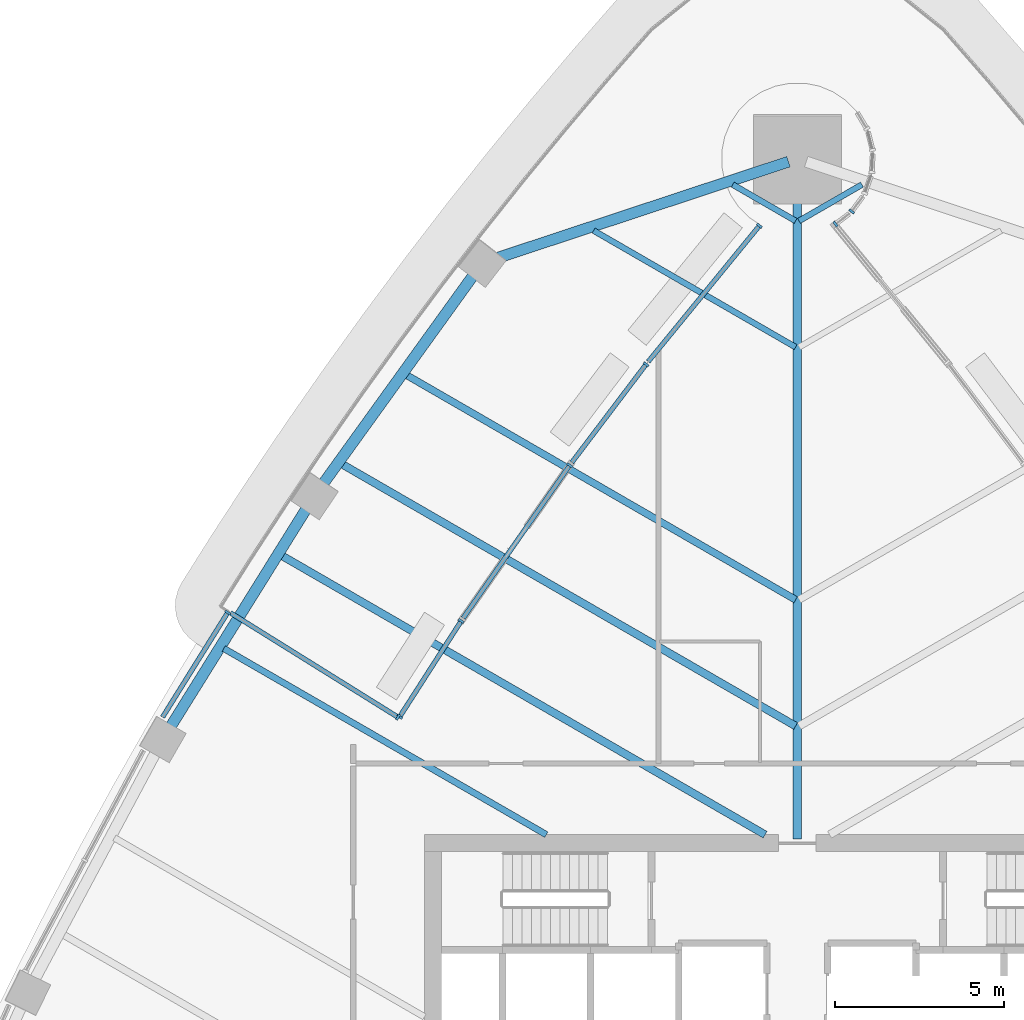
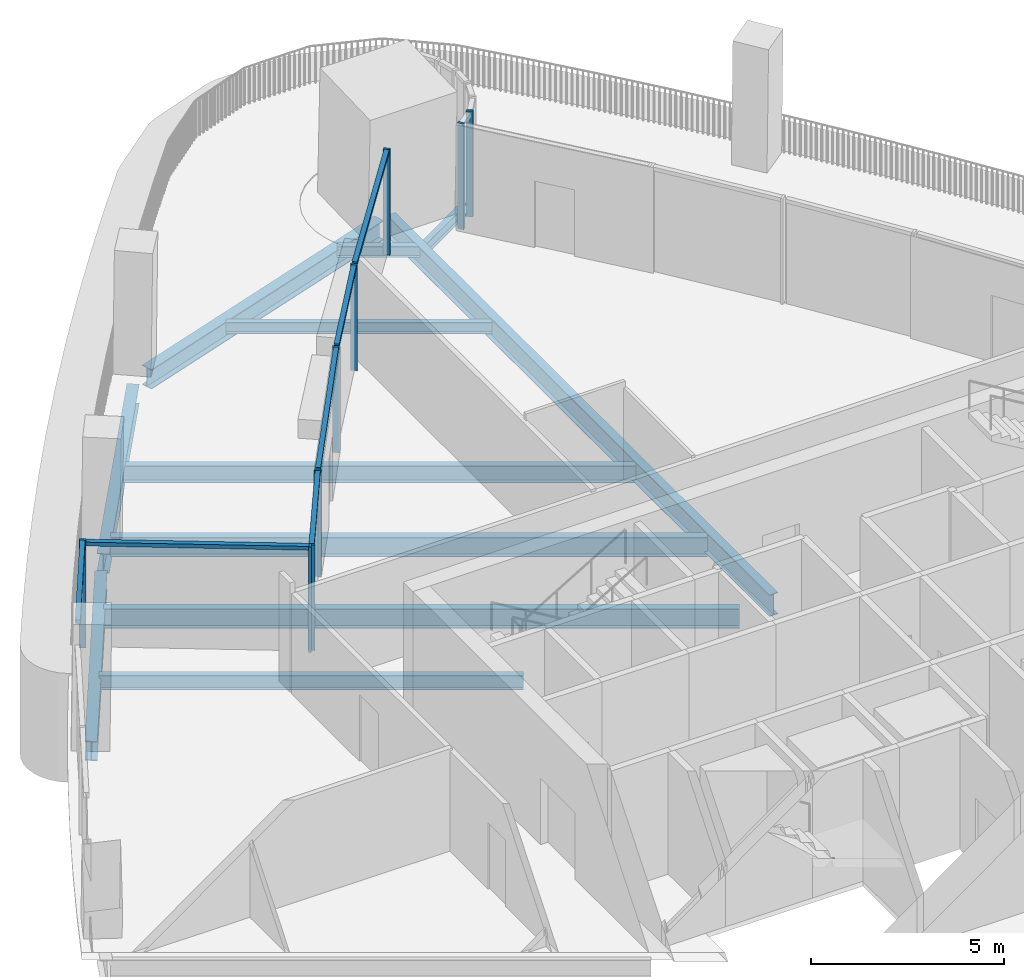
# One storey, part 6 of 21: 15 members, 11 beams, 8 elements without a shape of their own.
"""IFC4 building model written with IfcOpenShell, lengths in metres."""

from ifc_helpers import new_model, si_unit, direction, frame, origin, origin_2d, place, context, subcontext, project, spatial, rectangle, i_section, extrude, material, layer, layer_set, material_profile, profile_set, type_object, element, aggregate, save


model = new_model("IFC4")

# Units and contexts
model_context = context("Model", 3, precision=1e-05, world=origin(), true_north=direction((0.0, 1.0)))
body_context = subcontext(model_context, "Body", "Model", "MODEL_VIEW")
ifc_project = project(units=[si_unit("LENGTHUNIT", "METRE"), si_unit("AREAUNIT", "SQUARE_METRE"), si_unit("VOLUMEUNIT", "CUBIC_METRE"), si_unit("PLANEANGLEUNIT", "RADIAN"), si_unit("MASSUNIT", "GRAM", prefix="KILO")], contexts=[model_context])

# Site, building, storey
site_placement = place(None, origin())
site = spatial("IfcSite", under=ifc_project, at=site_placement, CompositionType="ELEMENT")
building_placement = place(site_placement, origin())
building = spatial("IfcBuilding", under=site, at=building_placement, Name="Sierra Prisma Convention Tower", CompositionType="ELEMENT")
storey_placement = place(building_placement, frame((0.0, 0.0, 157.800048828125)))
storey = spatial("IfcBuildingStorey", under=building, at=storey_placement, Name="L34", CompositionType="ELEMENT", Elevation=157.800048828125)

# Curtain wall, member
ifc_material_1 = material(Name="Aluminium and glass curtain wall", Category="aluminium")
ifc_layer_1 = layer(ifc_material_1, 0.179931640625)
ifc_layer_set_1 = layer_set([ifc_layer_1], Name="CW-1 Plain shaft curtain wall")
curtain_wall_type_1 = type_object("IfcCurtainWallType", Name="CW-1 Plain shaft curtain wall", PredefinedType="NOTDEFINED", material=ifc_layer_set_1)
curtain_wall_1_placement = place(storey_placement, origin())
curtain_wall_1 = element("IfcCurtainWall", 1, at=curtain_wall_1_placement, inside=storey, type_object=curtain_wall_type_1, Name="CW-1 NW3b L34", PredefinedType="NOTDEFINED")
ifc_material_2 = material(Name="Aluminium 6063-T6 bronze anodised", Category="aluminium")
ifc_material_profile_1 = material_profile(ifc_material_2, rectangle(XDim=0.179931640625, YDim=0.070068359375, at=origin_2d()), Name="ALU MULLION 70x180")
ifc_profile_set_1 = profile_set([ifc_material_profile_1], Name="Aluminium 6063-T6 bronze anodised")
member_type_1 = type_object("IfcMemberType", Name="CW mullion bronze", PredefinedType="MULLION", material=ifc_profile_set_1)
member_1_placement = place(storey_placement, frame((-16.802978515625, 14.5537109375, 0.0), z_axis=(0.0, 0.0, 1.0), x_axis=(0.848717482142, -0.528846514129, 0.0)))
member_1 = element("IfcMember", 2, at=member_1_placement, type_object=member_type_1, Name="CW-1 mullion NW3b.1", PredefinedType="MULLION", context=body_context, shape_type="SweptSolid", body=[
    extrude(rectangle(XDim=0.179931640625, YDim=0.070068359375, at=origin_2d()), origin(), (0.0, 0.0, 1.0), 3.39990234375),
])

ifc_material_3 = material(Name="Aluminium and glass curtain wall", Category="aluminium")
ifc_layer_2 = layer(ifc_material_3, 0.179931640625)
ifc_layer_set_2 = layer_set([ifc_layer_2], Name="CW-6 Terrace recess curtain wall")
curtain_wall_type_2 = type_object("IfcCurtainWallType", Name="CW-6 Terrace recess curtain wall", PredefinedType="NOTDEFINED", material=ifc_layer_set_2)
curtain_wall_2_placement = place(storey_placement, origin())
curtain_wall_2 = element("IfcCurtainWall", 3, at=curtain_wall_2_placement, inside=storey, type_object=curtain_wall_type_2, Name="CW-6 R7 L34", PredefinedType="NOTDEFINED")
member_2_placement = place(storey_placement, frame((1.125244140625, 26.011474609375, 0.0), z_axis=(0.0, 0.0, 1.0), x_axis=(-0.602025856156, 0.798476592343, 0.0)))
member_2 = element("IfcMember", 4, at=member_2_placement, type_object=member_type_1, Name="CW-6 mullion R7.1", PredefinedType="MULLION", context=body_context, shape_type="SweptSolid", body=[
    extrude(rectangle(XDim=0.179931640625, YDim=0.070068359375, at=origin_2d()), origin(), (0.0, 0.0, 1.0), 3.33984375),
])
aggregate(curtain_wall_2, [member_2])

curtain_wall_3_placement = place(storey_placement, origin())
curtain_wall_3 = element("IfcCurtainWall", 5, at=curtain_wall_3_placement, inside=storey, type_object=curtain_wall_type_2, Name="CW-6 R8 L34", PredefinedType="NOTDEFINED")
member_3_placement = place(storey_placement, frame((1.603759765625, 26.384521484375, 0.0), z_axis=(0.0, 0.0, 1.0), x_axis=(-0.803207531481, 0.595699304492, 0.0)))
member_3 = element("IfcMember", 6, at=member_3_placement, type_object=member_type_1, Name="CW-6 mullion R8.1", PredefinedType="MULLION", context=body_context, shape_type="SweptSolid", body=[
    extrude(rectangle(XDim=0.179931640625, YDim=0.070068359375, at=origin_2d()), origin(), (0.0, 0.0, 1.0), 3.33984375),
])
aggregate(curtain_wall_3, [member_3])

curtain_wall_4_placement = place(storey_placement, origin())
curtain_wall_4 = element("IfcCurtainWall", 7, at=curtain_wall_4_placement, inside=storey, type_object=curtain_wall_type_2, Name="CW-6 R31 L34", PredefinedType="NOTDEFINED")
member_4_placement = place(storey_placement, frame((-1.119384765625, 25.963134765625, 0.0), z_axis=(0.0, 0.0, 1.0), x_axis=(0.773979444957, -0.633210722259, 0.0)))
member_4 = element("IfcMember", 8, at=member_4_placement, type_object=member_type_1, Name="CW-6 mullion R31.1", PredefinedType="MULLION", context=body_context, shape_type="SweptSolid", body=[
    extrude(rectangle(XDim=0.179931640625, YDim=0.070068359375, at=origin_2d()), origin(), (0.0, 0.0, 1.0), 3.33984375),
])

curtain_wall_5_placement = place(storey_placement, origin())
curtain_wall_5 = element("IfcCurtainWall", 9, at=curtain_wall_5_placement, inside=storey, type_object=curtain_wall_type_2, Name="CW-6 R32 L34", PredefinedType="NOTDEFINED")
member_5_placement = place(storey_placement, frame((-4.46240234375, 21.875, 0.0), z_axis=(0.0, 0.0, 1.0), x_axis=(0.79740372503, -0.603446185925, 0.0)))
member_5 = element("IfcMember", 10, at=member_5_placement, type_object=member_type_1, Name="CW-6 mullion R32.1", PredefinedType="MULLION", context=body_context, shape_type="SweptSolid", body=[
    extrude(rectangle(XDim=0.179931640625, YDim=0.070068359375, at=origin_2d()), origin(), (0.0, 0.0, 1.0), 3.33984375),
])

curtain_wall_6_placement = place(storey_placement, origin())
curtain_wall_6 = element("IfcCurtainWall", 11, at=curtain_wall_6_placement, inside=storey, type_object=curtain_wall_type_2, Name="CW-6 R33 L34", PredefinedType="NOTDEFINED")
member_6_placement = place(storey_placement, frame((-6.71435546875, 18.89697265625, 0.0), z_axis=(0.0, 0.0, 1.0), x_axis=(0.820221616873, -0.572045889081, 0.0)))
member_6 = element("IfcMember", 12, at=member_6_placement, type_object=member_type_1, Name="CW-6 mullion R33.1", PredefinedType="MULLION", context=body_context, shape_type="SweptSolid", body=[
    extrude(rectangle(XDim=0.179931640625, YDim=0.070068359375, at=origin_2d()), origin(), (0.0, 0.0, 1.0), 3.33984375),
])

# Curtain wall, members
curtain_wall_7_placement = place(storey_placement, origin())
curtain_wall_7 = element("IfcCurtainWall", 13, at=curtain_wall_7_placement, inside=storey, type_object=curtain_wall_type_2, Name="CW-6 R34 L34", PredefinedType="NOTDEFINED")
member_7_placement = place(storey_placement, frame((-9.9169921875, 14.302734375, 0.0), z_axis=(0.0, 0.0, 1.0), x_axis=(0.841430954549, -0.540364644224, 0.0)))
member_7 = element("IfcMember", 14, at=member_7_placement, type_object=member_type_1, Name="CW-6 mullion R34.1", PredefinedType="MULLION", context=body_context, shape_type="SweptSolid", body=[
    extrude(rectangle(XDim=0.179931640625, YDim=0.070068359375, at=origin_2d()), origin(), (0.0, 0.0, 1.0), 3.33984375),
])
member_8_placement = place(storey_placement, frame((-11.73193359375, 11.476318359375, 0.0), z_axis=(0.0, 0.0, 1.0), x_axis=(0.841430954549, -0.540364644224, 0.0)))
member_8 = element("IfcMember", 15, at=member_8_placement, type_object=member_type_1, Name="CW-6 mullion R34.2", PredefinedType="MULLION", context=body_context, shape_type="SweptSolid", body=[
    extrude(rectangle(XDim=0.179931640625, YDim=0.070068359375, at=origin_2d()), origin(), (0.0, 0.0, 1.0), 3.33984375),
])

# Curtain wall, member
curtain_wall_8_placement = place(storey_placement, origin())
curtain_wall_8 = element("IfcCurtainWall", 16, at=curtain_wall_8_placement, inside=storey, type_object=curtain_wall_type_2, Name="CW-6 RT2 L34", PredefinedType="NOTDEFINED")
member_9_placement = place(storey_placement, frame((-11.780517578125, 11.465576171875, 0.0), z_axis=(0.0, 0.0, 1.0), x_axis=(-0.528846514129, -0.848717482142, 0.0)))
member_9 = element("IfcMember", 17, at=member_9_placement, type_object=member_type_1, Name="CW-6 mullion RT2.1", PredefinedType="MULLION", context=body_context, shape_type="SweptSolid", body=[
    extrude(rectangle(XDim=0.179931640625, YDim=0.070068359375, at=origin_2d()), origin(), (0.0, 0.0, 1.0), 3.33984375),
])

# Member
ifc_material_4 = material(Name="Aluminium 6063-T6 bronze anodised", Category="aluminium")
ifc_material_profile_2 = material_profile(ifc_material_4, rectangle(XDim=0.139892578125, YDim=0.1201171875, at=origin_2d()), Name="ALU TRANSOM 120x140")
ifc_profile_set_2 = profile_set([ifc_material_profile_2], Name="Aluminium 6063-T6 bronze anodised")
member_type_2 = type_object("IfcMemberType", Name="CW transom bronze", PredefinedType="USERDEFINED", material=ifc_profile_set_2)
member_10_placement = place(storey_placement, frame((-16.8212890625, 14.52392578125, 3.33984375), z_axis=(-0.528864567734, -0.848706232448, 0.0), x_axis=(0.848706232448, -0.528864567734, 0.0)))
member_10 = element("IfcMember", 18, at=member_10_placement, type_object=member_type_2, Name="CW-1 transom NW3b.1", ObjectType="TRANSOM", PredefinedType="USERDEFINED", context=body_context, shape_type="SweptSolid", body=[
    extrude(rectangle(XDim=0.139892578125, YDim=0.1201171875, at=origin_2d()), origin(), (0.0, 0.0, 1.0), 3.599853515625),
])

aggregate(curtain_wall_1, [member_1, member_10])

member_11_placement = place(storey_placement, frame((-1.1416015625, 25.93603515625, 3.280029296875), z_axis=(-0.633217101794, -0.773974225666, 0.0), x_axis=(0.773974225666, -0.633217101794, 0.0)))
member_11 = element("IfcMember", 19, at=member_11_placement, type_object=member_type_2, Name="CW-6 transom R31.1", ObjectType="TRANSOM", PredefinedType="USERDEFINED", context=body_context, shape_type="SweptSolid", body=[
    extrude(rectangle(XDim=0.139892578125, YDim=0.1201171875, at=origin_2d()), origin(), (0.0, 0.0, 1.0), 5.14111328125),
])

aggregate(curtain_wall_4, [member_4, member_11])

member_12_placement = place(storey_placement, frame((-4.4833984375, 21.84716796875, 3.280029296875), z_axis=(-0.603450842335, -0.797400201207, 0.0), x_axis=(0.797400201207, -0.603450842335, 0.0)))
member_12 = element("IfcMember", 20, at=member_12_placement, type_object=member_type_2, Name="CW-6 transom R32.1", ObjectType="TRANSOM", PredefinedType="USERDEFINED", context=body_context, shape_type="SweptSolid", body=[
    extrude(rectangle(XDim=0.139892578125, YDim=0.1201171875, at=origin_2d()), origin(), (0.0, 0.0, 1.0), 3.59375),
])

aggregate(curtain_wall_5, [member_5, member_12])

member_13_placement = place(storey_placement, frame((-6.734375, 18.8681640625, 3.280029296875), z_axis=(-0.572057095911, -0.820213800797, 0.0), x_axis=(0.820213800797, -0.572057095911, 0.0)))
member_13 = element("IfcMember", 21, at=member_13_placement, type_object=member_type_2, Name="CW-6 transom R33.1", ObjectType="TRANSOM", PredefinedType="USERDEFINED", context=body_context, shape_type="SweptSolid", body=[
    extrude(rectangle(XDim=0.139892578125, YDim=0.1201171875, at=origin_2d()), origin(), (0.0, 0.0, 1.0), 5.460205078125),
])

aggregate(curtain_wall_6, [member_6, member_13])

member_14_placement = place(storey_placement, frame((-9.935791015625, 14.273193359375, 3.280029296875), z_axis=(-0.540401127144, -0.841407524201, 0.0), x_axis=(0.841407524201, -0.540401127144, 0.0)))
member_14 = element("IfcMember", 22, at=member_14_placement, type_object=member_type_2, Name="CW-6 transom R34.1", ObjectType="TRANSOM", PredefinedType="USERDEFINED", context=body_context, shape_type="SweptSolid", body=[
    extrude(rectangle(XDim=0.139892578125, YDim=0.1201171875, at=origin_2d()), origin(), (0.0, 0.0, 1.0), 3.288818359375),
])

aggregate(curtain_wall_7, [member_7, member_8, member_14])

member_15_placement = place(storey_placement, frame((-11.810302734375, 11.48388671875, 3.280029296875), z_axis=(-0.848703395492, 0.52886912037, 0.0), x_axis=(-0.52886912037, -0.848703395492, 0.0)))
member_15 = element("IfcMember", 23, at=member_15_placement, type_object=member_type_2, Name="CW-6 transom RT2.1", ObjectType="TRANSOM", PredefinedType="USERDEFINED", context=body_context, shape_type="SweptSolid", body=[
    extrude(rectangle(XDim=0.139892578125, YDim=0.1201171875, at=origin_2d()), origin(), (0.0, 0.0, 1.0), 5.790771484375),
])

aggregate(curtain_wall_8, [member_9, member_15])

# Beams
ifc_material_5 = material(Name="Steel ASTM A992 Gr 50", Category="steel")
ifc_material_profile_3 = material_profile(ifc_material_5, i_section(OverallWidth=0.172119140625, OverallDepth=0.35791015625, WebThickness=0.0078125, FlangeThickness=0.01318359375, at=origin_2d()), Name="W360x57")
ifc_profile_set_3 = profile_set([ifc_material_profile_3], Name="Steel ASTM A992 Gr 50")
beam_type_1 = type_object("IfcBeamType", Name="Floor joist W360x57", PredefinedType="JOIST", material=ifc_profile_set_3)
for number, where, z_axis, x_axis, name in (
    (24, (1.906494140625, 27.17724609375, -0.3291015625), (-0.86604708139, -0.499962451406, 0.0), (0.499962451406, -0.86604708139, 0.0), "Floor joist L34 NE15"),
    (25, (-1.906494140625, 27.17724609375, -0.3291015625), (0.86604708139, -0.499962451406, 0.0), (0.499962451406, 0.86604708139, 0.0), "Floor joist L34 NW01"),
):
    element("IfcBeam", number, at=place(storey_placement, frame(where, z_axis=z_axis, x_axis=x_axis)), inside=storey, type_object=beam_type_1, Name=name, PredefinedType="JOIST", context=body_context, shape_type="SweptSolid", body=[
        extrude(i_section(OverallWidth=0.172119140625, OverallDepth=0.35791015625, WebThickness=0.0078125, FlangeThickness=0.01318359375, at=origin_2d()), origin(), (0.0, 0.0, 1.0), 2.142822265625),
    ])
beam_1_placement = place(storey_placement, frame((-6.009765625, 25.821044921875, -0.47900390625), z_axis=(0.866040235429, -0.499974309957, 0.0), x_axis=(0.499974309957, 0.866040235429, 0.0)))
element("IfcBeam", 26, at=beam_1_placement, inside=storey, type_object=beam_type_1, Name="Floor joist L34 NW02", PredefinedType="JOIST", context=body_context, shape_type="SweptSolid", body=[
    extrude(i_section(OverallWidth=0.172119140625, OverallDepth=0.35791015625, WebThickness=0.0078125, FlangeThickness=0.01318359375, at=origin_2d()), origin(), (0.0, 0.0, 1.0), 6.880615234375),
])
ifc_material_6 = material(Name="Steel ASTM A992 Gr 50", Category="steel")
ifc_material_profile_4 = material_profile(ifc_material_6, i_section(OverallWidth=0.18994140625, OverallDepth=0.45703125, WebThickness=0.009033203125, FlangeThickness=0.014404296875, at=origin_2d()), Name="W460x74")
ifc_profile_set_4 = profile_set([ifc_material_profile_4], Name="Steel ASTM A992 Gr 50")
beam_type_2 = type_object("IfcBeamType", Name="Floor joist W460x74", PredefinedType="JOIST", material=ifc_profile_set_4)
beam_2_placement = place(storey_placement, frame((-16.9189453125, 13.493408203125, -0.378662109375), z_axis=(0.866026096967, -0.49999879937, 0.0), x_axis=(0.49999879937, 0.866026096967, 0.0)))
element("IfcBeam", 27, at=beam_2_placement, inside=storey, type_object=beam_type_2, Name="Floor joist L34 NW07", PredefinedType="JOIST", context=body_context, shape_type="SweptSolid", body=[
    extrude(i_section(OverallWidth=0.18994140625, OverallDepth=0.45703125, WebThickness=0.009033203125, FlangeThickness=0.014404296875, at=origin_2d()), origin(), (0.0, 0.0, 1.0), 10.98681640625),
])
ifc_material_7 = material(Name="Steel ASTM A992 Gr 50", Category="steel")
ifc_material_profile_5 = material_profile(ifc_material_7, i_section(OverallWidth=0.208984375, OverallDepth=0.532958984375, WebThickness=0.01025390625, FlangeThickness=0.015625, at=origin_2d()), Name="W530x92")
ifc_profile_set_5 = profile_set([ifc_material_profile_5], Name="Steel ASTM A992 Gr 50")
beam_type_3 = type_object("IfcBeamType", Name="Floor joist W530x92", PredefinedType="JOIST", material=ifc_profile_set_5)
beam_3_placement = place(storey_placement, frame((-11.536865234375, 21.561767578125, -0.566650390625), z_axis=(0.866022200449, -0.500005548298, 0.0), x_axis=(0.500005548298, 0.866022200449, 0.0)))
element("IfcBeam", 28, at=beam_3_placement, inside=storey, type_object=beam_type_3, Name="Floor joist L34 NW04", PredefinedType="JOIST", context=body_context, shape_type="SweptSolid", body=[
    extrude(i_section(OverallWidth=0.208984375, OverallDepth=0.532958984375, WebThickness=0.01025390625, FlangeThickness=0.015625, at=origin_2d()), origin(), (0.0, 0.0, 1.0), 13.262939453125),
])
ifc_material_8 = material(Name="Steel ASTM A992 Gr 50", Category="steel")
ifc_material_profile_6 = material_profile(ifc_material_8, i_section(OverallWidth=0.22802734375, OverallDepth=0.60302734375, WebThickness=0.010498046875, FlangeThickness=0.014892578125, at=origin_2d()), Name="W610x101")
ifc_profile_set_6 = profile_set([ifc_material_profile_6], Name="Steel ASTM A992 Gr 50")
beam_type_4 = type_object("IfcBeamType", Name="Floor joist W610x101", PredefinedType="JOIST", material=ifc_profile_set_6)
beam_4_placement = place(storey_placement, frame((-13.432861328125, 18.93115234375, -0.6015625), z_axis=(0.866027458302, -0.499996441454, 0.0), x_axis=(0.499996441454, 0.866027458302, 0.0)))
element("IfcBeam", 29, at=beam_4_placement, inside=storey, type_object=beam_type_4, Name="Floor joist L34 NW05", PredefinedType="JOIST", context=body_context, shape_type="SweptSolid", body=[
    extrude(i_section(OverallWidth=0.22802734375, OverallDepth=0.60302734375, WebThickness=0.010498046875, FlangeThickness=0.014892578125, at=origin_2d()), origin(), (0.0, 0.0, 1.0), 15.4521484375),
])
beam_5_placement = place(storey_placement, frame((-15.211669921875, 16.23291015625, -0.6015625), z_axis=(0.866024598176, -0.500001395352, 0.0), x_axis=(0.500001395352, 0.866024598176, 0.0)))
element("IfcBeam", 30, at=beam_5_placement, inside=storey, type_object=beam_type_4, Name="Floor joist L34 NW06", PredefinedType="JOIST", context=body_context, shape_type="SweptSolid", body=[
    extrude(i_section(OverallWidth=0.22802734375, OverallDepth=0.60302734375, WebThickness=0.010498046875, FlangeThickness=0.014892578125, at=origin_2d()), origin(), (0.0, 0.0, 1.0), 16.4658203125),
])
ifc_material_9 = material(Name="Steel ASTM A992 Gr 50", Category="steel")
ifc_material_profile_7 = material_profile(ifc_material_9, i_section(OverallWidth=0.25390625, OverallDepth=0.68408203125, WebThickness=0.012451171875, FlangeThickness=0.018798828125, at=origin_2d()), Name="W690x140")
ifc_profile_set_7 = profile_set([ifc_material_profile_7], Name="Steel ASTM A992 Gr 50")
beam_type_5 = type_object("IfcBeamType", Name="Radial girder W690x140", PredefinedType="BEAM", material=ifc_profile_set_7)
beam_6_placement = place(storey_placement, frame((0.0, 27.67919921875, -0.491943359375), z_axis=(0.0, -1.0, 0.0), x_axis=(1.0, 0.0, 0.0)))
element("IfcBeam", 31, at=beam_6_placement, inside=storey, type_object=beam_type_5, Name="Radial girder L34 N", PredefinedType="BEAM", context=body_context, shape_type="SweptSolid", body=[
    extrude(i_section(OverallWidth=0.25390625, OverallDepth=0.68408203125, WebThickness=0.012451171875, FlangeThickness=0.018798828125, at=origin_2d()), origin(), (0.0, 0.0, 1.0), 19.79931640625),
])
ifc_material_10 = material(Name="Steel ASTM A992 Gr 50", Category="steel")
ifc_material_profile_8 = material_profile(ifc_material_10, i_section(OverallWidth=0.324951171875, OverallDepth=0.615966796875, WebThickness=0.013916015625, FlangeThickness=0.021484375, at=origin_2d()), Name="W610x174")
ifc_profile_set_8 = profile_set([ifc_material_profile_8], Name="Steel ASTM A992 Gr 50")
beam_type_6 = type_object("IfcBeamType", Name="Spandrel beam W610x174", PredefinedType="BEAM", material=ifc_profile_set_8)
beam_7_placement = place(storey_placement, frame((-0.260009765625, 27.853271484375, -0.608154296875), z_axis=(-0.949483168443, -0.313817961313, 0.0), x_axis=(0.313817961313, -0.949483168443, 0.0)))
element("IfcBeam", 32, at=beam_7_placement, inside=storey, type_object=beam_type_6, Name="Spandrel L34-13", PredefinedType="BEAM", context=body_context, shape_type="SweptSolid", body=[
    extrude(i_section(OverallWidth=0.324951171875, OverallDepth=0.615966796875, WebThickness=0.013916015625, FlangeThickness=0.021484375, at=origin_2d()), origin(), (0.0, 0.0, 1.0), 9.03076171875),
])
for number, where, z_axis, x_axis, name in (
    (33, (-9.515380859375, 24.55908203125, -0.608154296875), (-0.584714330487, -0.811239269096, 0.0), (0.811239269096, -0.584714330487, 0.0), "Spandrel L34-14"),
    (34, (-14.44580078125, 17.6748046875, -0.608154296875), (-0.52887106515, -0.8487021836, 0.0), (0.8487021836, -0.52887106515, 0.0), "Spandrel L34-15"),
):
    element("IfcBeam", number, at=place(storey_placement, frame(where, z_axis=z_axis, x_axis=x_axis)), inside=storey, type_object=beam_type_6, Name=name, PredefinedType="BEAM", context=body_context, shape_type="SweptSolid", body=[
        extrude(i_section(OverallWidth=0.324951171875, OverallDepth=0.615966796875, WebThickness=0.013916015625, FlangeThickness=0.021484375, at=origin_2d()), origin(), (0.0, 0.0, 1.0), 7.708251953125),
    ])

save(model, "model.ifc")
